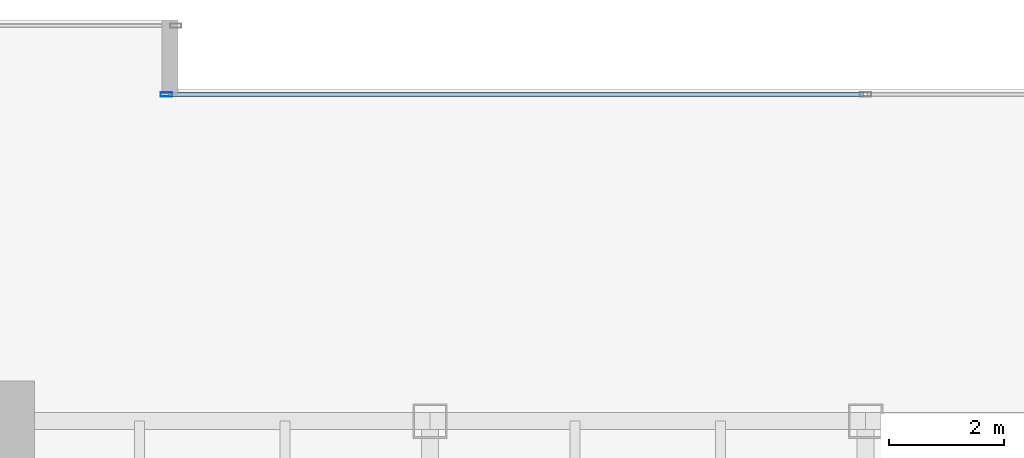
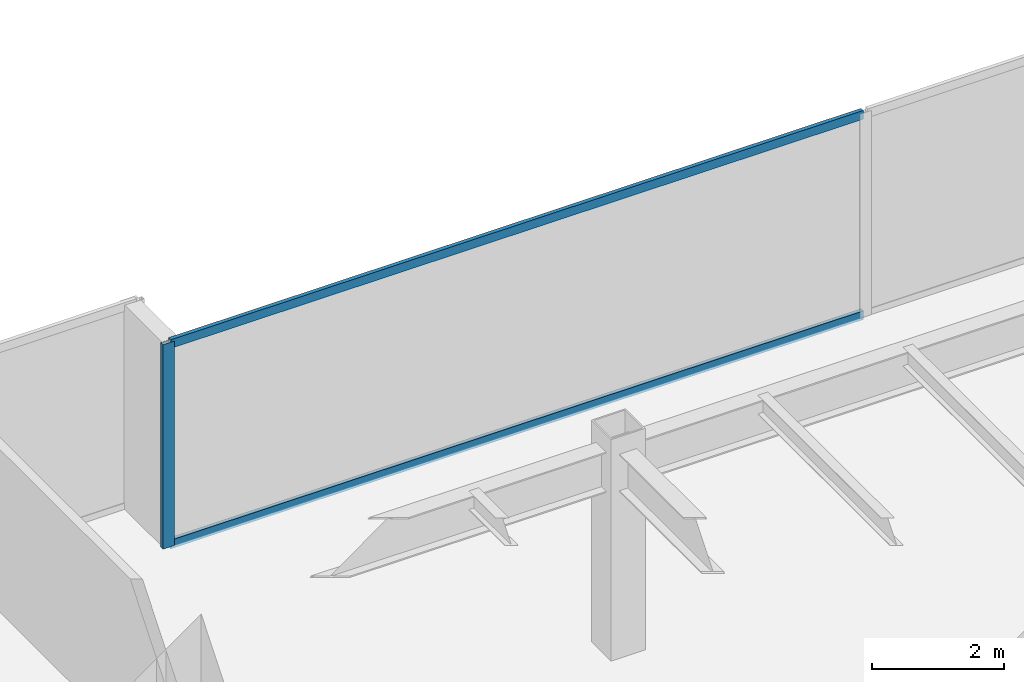
# One storey, part 14 of 35: 3 members, 1 element without a shape of its own.
"""IFC4 building model written with IfcOpenShell, lengths in metres."""

from ifc_helpers import new_model, si_unit, direction, frame, origin, origin_2d, place, context, subcontext, project, spatial, hollow_rectangle, extrude, source, transform, mapped, material, layer, layer_set, material_profile, profile_set, type_object, type_shapes, element, aggregate, save


model = new_model("IFC4")

# Units and contexts
model_context = context("Model", 3, precision=1e-05, world=origin(), true_north=direction((0.0, 1.0)))
body_context = subcontext(model_context, "Body", "Model", "MODEL_VIEW")
ifc_project = project(units=[si_unit("LENGTHUNIT", "METRE"), si_unit("AREAUNIT", "SQUARE_METRE"), si_unit("VOLUMEUNIT", "CUBIC_METRE"), si_unit("PLANEANGLEUNIT", "RADIAN"), si_unit("MASSUNIT", "GRAM", prefix="KILO")], contexts=[model_context])

# Site, building, storey
site_placement = place(None, origin())
site = spatial("IfcSite", under=ifc_project, at=site_placement, CompositionType="ELEMENT")
building_placement = place(site_placement, origin())
building = spatial("IfcBuilding", under=site, at=building_placement, Name="Haelvirn Gate Laboratories", CompositionType="ELEMENT")
storey_placement = place(building_placement, frame((0.0, 0.0, 45.699951171875)))
storey = spatial("IfcBuildingStorey", under=building, at=storey_placement, Name="L11", CompositionType="ELEMENT", Elevation=45.699951171875)

# Curtain wall, members
ifc_material_1 = material(Name="Anodised bronze unitised aluminium & triple low-E glass", Category="aluminium")
ifc_layer = layer(ifc_material_1, 0.18408203125, Name="CW-SYS-2")
ifc_layer_set = layer_set([ifc_layer], Name="Anodised bronze unitised aluminium & triple low-E glass")
curtain_wall_type = type_object("IfcCurtainWallType", Name="CW-SYS-2", PredefinedType="NOTDEFINED", material=ifc_layer_set)
curtain_wall_placement = place(storey_placement, origin())
curtain_wall = element("IfcCurtainWall", 1, at=curtain_wall_placement, inside=storey, type_object=curtain_wall_type, Name="L11 Unitised Curtain Wall CW-L11-P0-E12-1", PredefinedType="NOTDEFINED")
ifc_material_2 = material(Name="Extruded aluminium 6063-T6 (anodised bronze)", Category="aluminium")
ifc_material_profile_1 = material_profile(ifc_material_2, hollow_rectangle(XDim=0.074951171875, YDim=0.199951171875, WallThickness=0.0048828125, at=origin_2d()), Name="CWM-200x75x5")
ifc_profile_set_1 = profile_set([ifc_material_profile_1], Name="Extruded aluminium 6063-T6 (anodised bronze)")
member_type_1 = type_object("IfcMemberType", Name="CWM-T200", PredefinedType="MULLION", material=ifc_profile_set_1)
shared_shape_1 = source(origin(), body_context, "Body", "SweptSolid", [
    extrude(hollow_rectangle(XDim=0.074951171875, YDim=0.199951171875, WallThickness=0.0048828125, at=origin_2d()), origin(), (0.0, 0.0, 1.0), 3.780029296875),
])
type_shapes(member_type_1, [shared_shape_1])
member_1_placement = place(storey_placement, frame((25.197509765625, 47.300048828125, 0.0), z_axis=(0.0, 0.0, 1.0), x_axis=(0.0, 1.0, 0.0)))
member_1 = element("IfcMember", 2, at=member_1_placement, type_object=member_type_1, Name="CW2 mullion 1", PredefinedType="MULLION", context=body_context, shape_type="MappedRepresentation", body=[
    mapped(shared_shape_1, transform((0.0, 0.0, 0.0), scale=1.0)),
])
ifc_material_profile_2 = material_profile(ifc_material_2, hollow_rectangle(XDim=0.070068359375, YDim=0.159912109375, WallThickness=0.0048828125, at=origin_2d()), Name="CWT-160x70x5")
ifc_profile_set_2 = profile_set([ifc_material_profile_2], Name="Extruded aluminium 6063-T6 (anodised bronze)")
member_type_2 = type_object("IfcMemberType", Name="CWT-T160", PredefinedType="USERDEFINED", material=ifc_profile_set_2)
shared_shape_2 = source(origin(), body_context, "Body", "SweptSolid", [
    extrude(hollow_rectangle(XDim=0.070068359375, YDim=0.159912109375, WallThickness=0.0048828125, at=origin_2d()), origin(), (0.0, 0.0, 1.0), 12.12744140625),
])
type_shapes(member_type_2, [shared_shape_2])
member_2_placement = place(storey_placement, frame((25.235107421875, 47.300048828125, 0.03515625), z_axis=(1.0, 0.0, 0.0), x_axis=(0.0, 1.0, 0.0)))
member_2 = element("IfcMember", 3, at=member_2_placement, type_object=member_type_2, Name="CW2 transom 1.1", ObjectType="TRANSOM", PredefinedType="USERDEFINED", context=body_context, shape_type="MappedRepresentation", body=[
    mapped(shared_shape_2, transform((0.0, 0.0, 0.0), scale=1.0)),
])
member_3_placement = place(storey_placement, frame((25.235107421875, 47.300048828125, 3.7451171875), z_axis=(1.0, 0.0, 0.0), x_axis=(0.0, 1.0, 0.0)))
member_3 = element("IfcMember", 4, at=member_3_placement, type_object=member_type_2, Name="CW2 transom 1.2", ObjectType="TRANSOM", PredefinedType="USERDEFINED", context=body_context, shape_type="MappedRepresentation", body=[
    mapped(shared_shape_2, transform((0.0, 0.0, 0.0), scale=1.0)),
])
aggregate(curtain_wall, [member_1, member_2, member_3])

save(model, "model.ifc")
